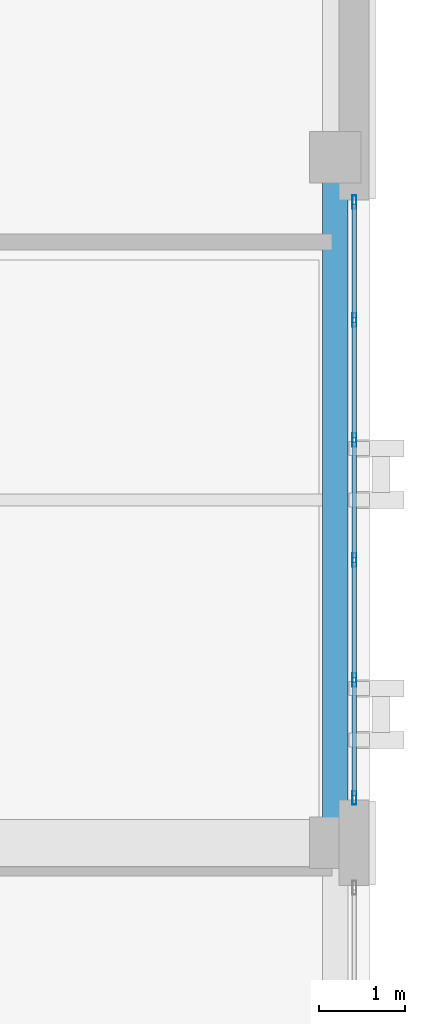
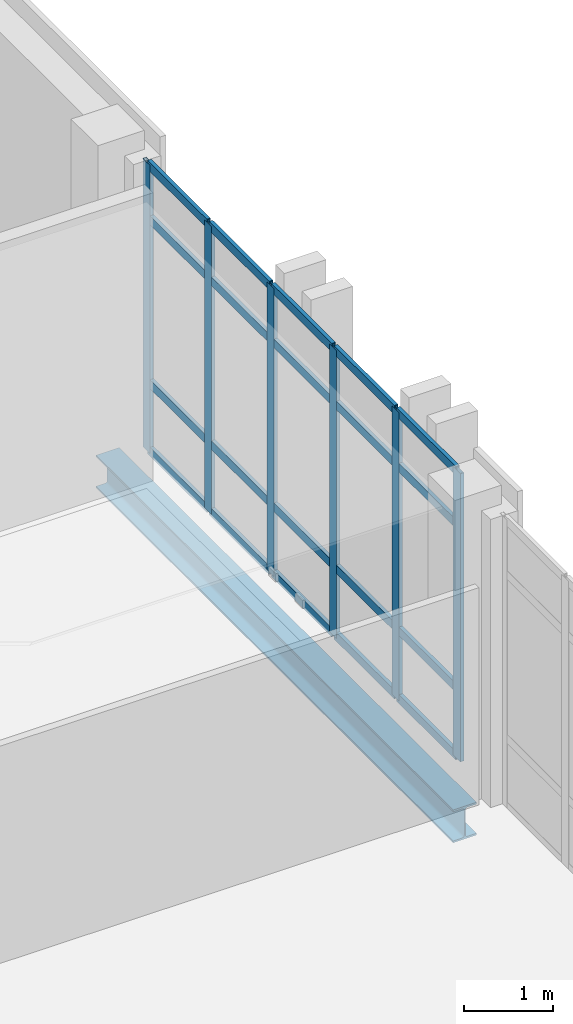
# One storey, part 29 of 48: 26 members, 1 beam, 1 element without a shape of its own.
"""IFC4 building model written with IfcOpenShell, lengths in metres."""

from ifc_helpers import new_model, si_unit, direction, frame, origin, origin_2d, place, context, subcontext, project, spatial, hollow_rectangle, i_section, extrude, material, layer, layer_set, material_profile, profile_set, type_object, element, aggregate, save


model = new_model("IFC4")

# Units and contexts
model_context = context("Model", 3, precision=1e-05, world=origin(), true_north=direction((0.0, 1.0)))
body_context = subcontext(model_context, "Body", "Model", "MODEL_VIEW")
ifc_project = project(units=[si_unit("LENGTHUNIT", "METRE"), si_unit("AREAUNIT", "SQUARE_METRE"), si_unit("VOLUMEUNIT", "CUBIC_METRE"), si_unit("PLANEANGLEUNIT", "RADIAN"), si_unit("MASSUNIT", "GRAM", prefix="KILO")], contexts=[model_context])

# Site, building, storey
site_placement = place(None, origin())
site = spatial("IfcSite", under=ifc_project, at=site_placement, CompositionType="ELEMENT")
building_placement = place(site_placement, origin())
building = spatial("IfcBuilding", under=site, at=building_placement, Name="Qalavern Law Courts", CompositionType="ELEMENT")
storey_placement = place(building_placement, frame((0.0, 0.0, 31.199951171875)))
storey = spatial("IfcBuildingStorey", under=building, at=storey_placement, Name="L07", CompositionType="ELEMENT", Elevation=31.199951171875)

# Curtain wall, members
ifc_material_1 = material(Name="Anodised aluminium and insulated glazing", Category="aluminium")
ifc_layer = layer(ifc_material_1, 0.159912109375)
ifc_layer_set = layer_set([ifc_layer], Name="Anodised aluminium and insulated glazing")
curtain_wall_type = type_object("IfcCurtainWallType", Name="ENV-CW-CHAMB", PredefinedType="USERDEFINED", material=ifc_layer_set)
curtain_wall_placement = place(storey_placement, origin())
curtain_wall = element("IfcCurtainWall", 1, at=curtain_wall_placement, inside=storey, type_object=curtain_wall_type, Name="V4 unitised curtain wall L07 east 3", ObjectType="UNITISED CURTAIN WALL", PredefinedType="USERDEFINED")
ifc_material_2 = material(Name="Anodised aluminium", Category="aluminium")
ifc_material_profile_1 = material_profile(ifc_material_2, hollow_rectangle(XDim=0.048095703125, YDim=0.159912109375, WallThickness=0.00390625, at=origin_2d()), Name="ALU MULLION 48x160")
ifc_profile_set_1 = profile_set([ifc_material_profile_1], Name="Anodised aluminium")
member_type_1 = type_object("IfcMemberType", Name="ENV-CWM-48x160", PredefinedType="MULLION", material=ifc_profile_set_1)
member_1_placement = place(storey_placement, frame((106.62255859375, 57.924072265625, 0.0), z_axis=(0.0, 0.0, 1.0), x_axis=(-1.0, 0.0, 0.0)))
member_1 = element("IfcMember", 2, at=member_1_placement, type_object=member_type_1, Name="CW-04 mullion 1", PredefinedType="MULLION", context=body_context, shape_type="SweptSolid", body=[
    extrude(hollow_rectangle(XDim=0.048095703125, YDim=0.159912109375, WallThickness=0.00390625, at=origin_2d()), origin(), (0.0, 0.0, 1.0), 3.93994140625),
])
member_2_placement = place(storey_placement, frame((106.62255859375, 59.300048828125, 0.0), z_axis=(0.0, 0.0, 1.0), x_axis=(-1.0, 0.0, 0.0)))
member_2 = element("IfcMember", 3, at=member_2_placement, type_object=member_type_1, Name="CW-04 mullion 2", PredefinedType="MULLION", context=body_context, shape_type="SweptSolid", body=[
    extrude(hollow_rectangle(XDim=0.048095703125, YDim=0.159912109375, WallThickness=0.00390625, at=origin_2d()), origin(), (0.0, 0.0, 1.0), 3.93994140625),
])
member_3_placement = place(storey_placement, frame((106.62255859375, 60.699951171875, 0.0), z_axis=(0.0, 0.0, 1.0), x_axis=(-1.0, 0.0, 0.0)))
member_3 = element("IfcMember", 4, at=member_3_placement, type_object=member_type_1, Name="CW-04 mullion 3", PredefinedType="MULLION", context=body_context, shape_type="SweptSolid", body=[
    extrude(hollow_rectangle(XDim=0.048095703125, YDim=0.159912109375, WallThickness=0.00390625, at=origin_2d()), origin(), (0.0, 0.0, 1.0), 3.93994140625),
])
member_4_placement = place(storey_placement, frame((106.62255859375, 62.10009765625, 0.0), z_axis=(0.0, 0.0, 1.0), x_axis=(-1.0, 0.0, 0.0)))
member_4 = element("IfcMember", 5, at=member_4_placement, type_object=member_type_1, Name="CW-04 mullion 4", PredefinedType="MULLION", context=body_context, shape_type="SweptSolid", body=[
    extrude(hollow_rectangle(XDim=0.048095703125, YDim=0.159912109375, WallThickness=0.00390625, at=origin_2d()), origin(), (0.0, 0.0, 1.0), 3.93994140625),
])
member_5_placement = place(storey_placement, frame((106.62255859375, 63.5, 0.0), z_axis=(0.0, 0.0, 1.0), x_axis=(-1.0, 0.0, 0.0)))
member_5 = element("IfcMember", 6, at=member_5_placement, type_object=member_type_1, Name="CW-04 mullion 5", PredefinedType="MULLION", context=body_context, shape_type="SweptSolid", body=[
    extrude(hollow_rectangle(XDim=0.048095703125, YDim=0.159912109375, WallThickness=0.00390625, at=origin_2d()), origin(), (0.0, 0.0, 1.0), 3.93994140625),
])
member_6_placement = place(storey_placement, frame((106.62255859375, 64.8759765625, 0.0), z_axis=(0.0, 0.0, 1.0), x_axis=(-1.0, 0.0, 0.0)))
member_6 = element("IfcMember", 7, at=member_6_placement, type_object=member_type_1, Name="CW-04 mullion 6", PredefinedType="MULLION", context=body_context, shape_type="SweptSolid", body=[
    extrude(hollow_rectangle(XDim=0.048095703125, YDim=0.159912109375, WallThickness=0.00390625, at=origin_2d()), origin(), (0.0, 0.0, 1.0), 3.93994140625),
])
ifc_material_profile_2 = material_profile(ifc_material_2, hollow_rectangle(XDim=0.048095703125, YDim=0.1201171875, WallThickness=0.00390625, at=origin_2d()), Name="ALU TRANSOM 48x120")
ifc_profile_set_2 = profile_set([ifc_material_profile_2], Name="Anodised aluminium")
member_type_2 = type_object("IfcMemberType", Name="ENV-CWT-48x120", PredefinedType="USERDEFINED", material=ifc_profile_set_2)
member_7_placement = place(storey_placement, frame((106.62255859375, 57.947998046875, 0.024169921875), z_axis=(0.0, 1.0, 0.0), x_axis=(-1.0, 0.0, 0.0)))
member_7 = element("IfcMember", 8, at=member_7_placement, type_object=member_type_2, Name="CW-04 transom 1.1", ObjectType="TRANSOM", PredefinedType="USERDEFINED", context=body_context, shape_type="SweptSolid", body=[
    extrude(hollow_rectangle(XDim=0.048095703125, YDim=0.1201171875, WallThickness=0.00390625, at=origin_2d()), origin(), (0.0, 0.0, 1.0), 1.327880859375),
])
member_8_placement = place(storey_placement, frame((106.62255859375, 57.947998046875, 0.949951171875), z_axis=(0.0, 1.0, 0.0), x_axis=(-1.0, 0.0, 0.0)))
member_8 = element("IfcMember", 9, at=member_8_placement, type_object=member_type_2, Name="CW-04 transom 1.2", ObjectType="TRANSOM", PredefinedType="USERDEFINED", context=body_context, shape_type="SweptSolid", body=[
    extrude(hollow_rectangle(XDim=0.048095703125, YDim=0.1201171875, WallThickness=0.00390625, at=origin_2d()), origin(), (0.0, 0.0, 1.0), 1.327880859375),
])
member_9_placement = place(storey_placement, frame((106.62255859375, 57.947998046875, 3.18994140625), z_axis=(0.0, 1.0, 0.0), x_axis=(-1.0, 0.0, 0.0)))
member_9 = element("IfcMember", 10, at=member_9_placement, type_object=member_type_2, Name="CW-04 transom 1.3", ObjectType="TRANSOM", PredefinedType="USERDEFINED", context=body_context, shape_type="SweptSolid", body=[
    extrude(hollow_rectangle(XDim=0.048095703125, YDim=0.1201171875, WallThickness=0.00390625, at=origin_2d()), origin(), (0.0, 0.0, 1.0), 1.327880859375),
])
member_10_placement = place(storey_placement, frame((106.62255859375, 57.947998046875, 3.916015625), z_axis=(0.0, 1.0, 0.0), x_axis=(-1.0, 0.0, 0.0)))
member_10 = element("IfcMember", 11, at=member_10_placement, type_object=member_type_2, Name="CW-04 transom 1.4", ObjectType="TRANSOM", PredefinedType="USERDEFINED", context=body_context, shape_type="SweptSolid", body=[
    extrude(hollow_rectangle(XDim=0.048095703125, YDim=0.1201171875, WallThickness=0.00390625, at=origin_2d()), origin(), (0.0, 0.0, 1.0), 1.327880859375),
])
member_11_placement = place(storey_placement, frame((106.62255859375, 59.323974609375, 0.024169921875), z_axis=(0.0, 1.0, 0.0), x_axis=(-1.0, 0.0, 0.0)))
member_11 = element("IfcMember", 12, at=member_11_placement, type_object=member_type_2, Name="CW-04 transom 2.1", ObjectType="TRANSOM", PredefinedType="USERDEFINED", context=body_context, shape_type="SweptSolid", body=[
    extrude(hollow_rectangle(XDim=0.048095703125, YDim=0.1201171875, WallThickness=0.00390625, at=origin_2d()), origin(), (0.0, 0.0, 1.0), 1.35205078125),
])
member_12_placement = place(storey_placement, frame((106.62255859375, 59.323974609375, 0.949951171875), z_axis=(0.0, 1.0, 0.0), x_axis=(-1.0, 0.0, 0.0)))
member_12 = element("IfcMember", 13, at=member_12_placement, type_object=member_type_2, Name="CW-04 transom 2.2", ObjectType="TRANSOM", PredefinedType="USERDEFINED", context=body_context, shape_type="SweptSolid", body=[
    extrude(hollow_rectangle(XDim=0.048095703125, YDim=0.1201171875, WallThickness=0.00390625, at=origin_2d()), origin(), (0.0, 0.0, 1.0), 1.35205078125),
])
member_13_placement = place(storey_placement, frame((106.62255859375, 59.323974609375, 3.18994140625), z_axis=(0.0, 1.0, 0.0), x_axis=(-1.0, 0.0, 0.0)))
member_13 = element("IfcMember", 14, at=member_13_placement, type_object=member_type_2, Name="CW-04 transom 2.3", ObjectType="TRANSOM", PredefinedType="USERDEFINED", context=body_context, shape_type="SweptSolid", body=[
    extrude(hollow_rectangle(XDim=0.048095703125, YDim=0.1201171875, WallThickness=0.00390625, at=origin_2d()), origin(), (0.0, 0.0, 1.0), 1.35205078125),
])
member_14_placement = place(storey_placement, frame((106.62255859375, 59.323974609375, 3.916015625), z_axis=(0.0, 1.0, 0.0), x_axis=(-1.0, 0.0, 0.0)))
member_14 = element("IfcMember", 15, at=member_14_placement, type_object=member_type_2, Name="CW-04 transom 2.4", ObjectType="TRANSOM", PredefinedType="USERDEFINED", context=body_context, shape_type="SweptSolid", body=[
    extrude(hollow_rectangle(XDim=0.048095703125, YDim=0.1201171875, WallThickness=0.00390625, at=origin_2d()), origin(), (0.0, 0.0, 1.0), 1.35205078125),
])
member_15_placement = place(storey_placement, frame((106.62255859375, 60.72412109375, 0.024169921875), z_axis=(0.0, 1.0, 0.0), x_axis=(-1.0, 0.0, 0.0)))
member_15 = element("IfcMember", 16, at=member_15_placement, type_object=member_type_2, Name="CW-04 transom 3.1", ObjectType="TRANSOM", PredefinedType="USERDEFINED", context=body_context, shape_type="SweptSolid", body=[
    extrude(hollow_rectangle(XDim=0.048095703125, YDim=0.1201171875, WallThickness=0.00390625, at=origin_2d()), origin(), (0.0, 0.0, 1.0), 1.351806640625),
])
member_16_placement = place(storey_placement, frame((106.62255859375, 60.72412109375, 0.949951171875), z_axis=(0.0, 1.0, 0.0), x_axis=(-1.0, 0.0, 0.0)))
member_16 = element("IfcMember", 17, at=member_16_placement, type_object=member_type_2, Name="CW-04 transom 3.2", ObjectType="TRANSOM", PredefinedType="USERDEFINED", context=body_context, shape_type="SweptSolid", body=[
    extrude(hollow_rectangle(XDim=0.048095703125, YDim=0.1201171875, WallThickness=0.00390625, at=origin_2d()), origin(), (0.0, 0.0, 1.0), 1.351806640625),
])
member_17_placement = place(storey_placement, frame((106.62255859375, 60.72412109375, 3.18994140625), z_axis=(0.0, 1.0, 0.0), x_axis=(-1.0, 0.0, 0.0)))
member_17 = element("IfcMember", 18, at=member_17_placement, type_object=member_type_2, Name="CW-04 transom 3.3", ObjectType="TRANSOM", PredefinedType="USERDEFINED", context=body_context, shape_type="SweptSolid", body=[
    extrude(hollow_rectangle(XDim=0.048095703125, YDim=0.1201171875, WallThickness=0.00390625, at=origin_2d()), origin(), (0.0, 0.0, 1.0), 1.351806640625),
])
member_18_placement = place(storey_placement, frame((106.62255859375, 60.72412109375, 3.916015625), z_axis=(0.0, 1.0, 0.0), x_axis=(-1.0, 0.0, 0.0)))
member_18 = element("IfcMember", 19, at=member_18_placement, type_object=member_type_2, Name="CW-04 transom 3.4", ObjectType="TRANSOM", PredefinedType="USERDEFINED", context=body_context, shape_type="SweptSolid", body=[
    extrude(hollow_rectangle(XDim=0.048095703125, YDim=0.1201171875, WallThickness=0.00390625, at=origin_2d()), origin(), (0.0, 0.0, 1.0), 1.351806640625),
])
member_19_placement = place(storey_placement, frame((106.62255859375, 62.1240234375, 0.024169921875), z_axis=(0.0, 1.0, 0.0), x_axis=(-1.0, 0.0, 0.0)))
member_19 = element("IfcMember", 20, at=member_19_placement, type_object=member_type_2, Name="CW-04 transom 4.1", ObjectType="TRANSOM", PredefinedType="USERDEFINED", context=body_context, shape_type="SweptSolid", body=[
    extrude(hollow_rectangle(XDim=0.048095703125, YDim=0.1201171875, WallThickness=0.00390625, at=origin_2d()), origin(), (0.0, 0.0, 1.0), 1.35205078125),
])
member_20_placement = place(storey_placement, frame((106.62255859375, 62.1240234375, 0.949951171875), z_axis=(0.0, 1.0, 0.0), x_axis=(-1.0, 0.0, 0.0)))
member_20 = element("IfcMember", 21, at=member_20_placement, type_object=member_type_2, Name="CW-04 transom 4.2", ObjectType="TRANSOM", PredefinedType="USERDEFINED", context=body_context, shape_type="SweptSolid", body=[
    extrude(hollow_rectangle(XDim=0.048095703125, YDim=0.1201171875, WallThickness=0.00390625, at=origin_2d()), origin(), (0.0, 0.0, 1.0), 1.35205078125),
])
member_21_placement = place(storey_placement, frame((106.62255859375, 62.1240234375, 3.18994140625), z_axis=(0.0, 1.0, 0.0), x_axis=(-1.0, 0.0, 0.0)))
member_21 = element("IfcMember", 22, at=member_21_placement, type_object=member_type_2, Name="CW-04 transom 4.3", ObjectType="TRANSOM", PredefinedType="USERDEFINED", context=body_context, shape_type="SweptSolid", body=[
    extrude(hollow_rectangle(XDim=0.048095703125, YDim=0.1201171875, WallThickness=0.00390625, at=origin_2d()), origin(), (0.0, 0.0, 1.0), 1.35205078125),
])
member_22_placement = place(storey_placement, frame((106.62255859375, 62.1240234375, 3.916015625), z_axis=(0.0, 1.0, 0.0), x_axis=(-1.0, 0.0, 0.0)))
member_22 = element("IfcMember", 23, at=member_22_placement, type_object=member_type_2, Name="CW-04 transom 4.4", ObjectType="TRANSOM", PredefinedType="USERDEFINED", context=body_context, shape_type="SweptSolid", body=[
    extrude(hollow_rectangle(XDim=0.048095703125, YDim=0.1201171875, WallThickness=0.00390625, at=origin_2d()), origin(), (0.0, 0.0, 1.0), 1.35205078125),
])
member_23_placement = place(storey_placement, frame((106.62255859375, 63.52392578125, 0.024169921875), z_axis=(0.0, 1.0, 0.0), x_axis=(-1.0, 0.0, 0.0)))
member_23 = element("IfcMember", 24, at=member_23_placement, type_object=member_type_2, Name="CW-04 transom 5.1", ObjectType="TRANSOM", PredefinedType="USERDEFINED", context=body_context, shape_type="SweptSolid", body=[
    extrude(hollow_rectangle(XDim=0.048095703125, YDim=0.1201171875, WallThickness=0.00390625, at=origin_2d()), origin(), (0.0, 0.0, 1.0), 1.328125),
])
member_24_placement = place(storey_placement, frame((106.62255859375, 63.52392578125, 0.949951171875), z_axis=(0.0, 1.0, 0.0), x_axis=(-1.0, 0.0, 0.0)))
member_24 = element("IfcMember", 25, at=member_24_placement, type_object=member_type_2, Name="CW-04 transom 5.2", ObjectType="TRANSOM", PredefinedType="USERDEFINED", context=body_context, shape_type="SweptSolid", body=[
    extrude(hollow_rectangle(XDim=0.048095703125, YDim=0.1201171875, WallThickness=0.00390625, at=origin_2d()), origin(), (0.0, 0.0, 1.0), 1.328125),
])
member_25_placement = place(storey_placement, frame((106.62255859375, 63.52392578125, 3.18994140625), z_axis=(0.0, 1.0, 0.0), x_axis=(-1.0, 0.0, 0.0)))
member_25 = element("IfcMember", 26, at=member_25_placement, type_object=member_type_2, Name="CW-04 transom 5.3", ObjectType="TRANSOM", PredefinedType="USERDEFINED", context=body_context, shape_type="SweptSolid", body=[
    extrude(hollow_rectangle(XDim=0.048095703125, YDim=0.1201171875, WallThickness=0.00390625, at=origin_2d()), origin(), (0.0, 0.0, 1.0), 1.328125),
])
member_26_placement = place(storey_placement, frame((106.62255859375, 63.52392578125, 3.916015625), z_axis=(0.0, 1.0, 0.0), x_axis=(-1.0, 0.0, 0.0)))
member_26 = element("IfcMember", 27, at=member_26_placement, type_object=member_type_2, Name="CW-04 transom 5.4", ObjectType="TRANSOM", PredefinedType="USERDEFINED", context=body_context, shape_type="SweptSolid", body=[
    extrude(hollow_rectangle(XDim=0.048095703125, YDim=0.1201171875, WallThickness=0.00390625, at=origin_2d()), origin(), (0.0, 0.0, 1.0), 1.328125),
])
aggregate(curtain_wall, [member_1, member_2, member_3, member_4, member_5, member_6, member_7, member_8, member_9, member_10, member_11, member_12, member_13, member_14, member_15, member_16, member_17, member_18, member_19, member_20, member_21, member_22, member_23, member_24, member_25, member_26])

# Beam
ifc_material_3 = material(Name="Steel S355", Category="steel")
ifc_material_profile_3 = material_profile(ifc_material_3, i_section(OverallWidth=0.300048828125, OverallDepth=0.449951171875, WebThickness=0.013916015625, FlangeThickness=0.02587890625, FilletRadius=0.027099609375, at=origin_2d()), Name="HEB 450")
ifc_profile_set_3 = profile_set([ifc_material_profile_3], Name="Steel S355")
beam_type = type_object("IfcBeamType", Name="STR-SP-HEB450", PredefinedType="SPANDREL", material=ifc_profile_set_3)
beam_placement = place(storey_placement, frame((106.39990234375, 57.39990234375, -0.489990234375), z_axis=(0.0, 1.0, 0.0), x_axis=(-1.0, 0.0, 0.0)))
element("IfcBeam", 28, at=beam_placement, inside=storey, type_object=beam_type, Name="V4 Y-beam 3-3 L07", PredefinedType="SPANDREL", context=body_context, shape_type="SweptSolid", body=[
    extrude(i_section(OverallWidth=0.300048828125, OverallDepth=0.449951171875, WebThickness=0.013916015625, FlangeThickness=0.02587890625, FilletRadius=0.027099609375, at=origin_2d()), origin(), (0.0, 0.0, 1.0), 8.0),
])

save(model, "model.ifc")
